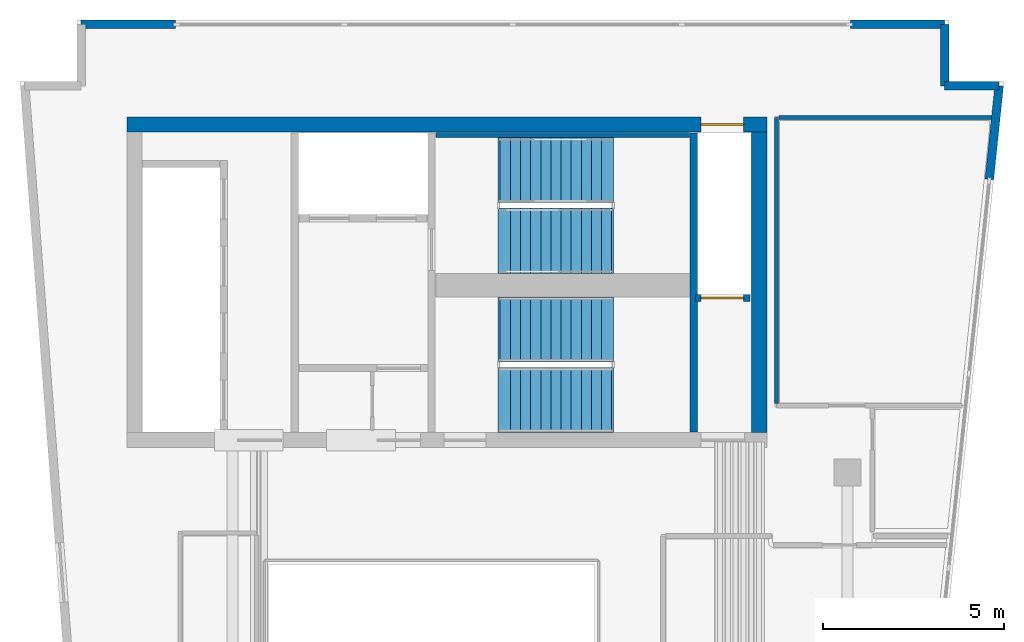
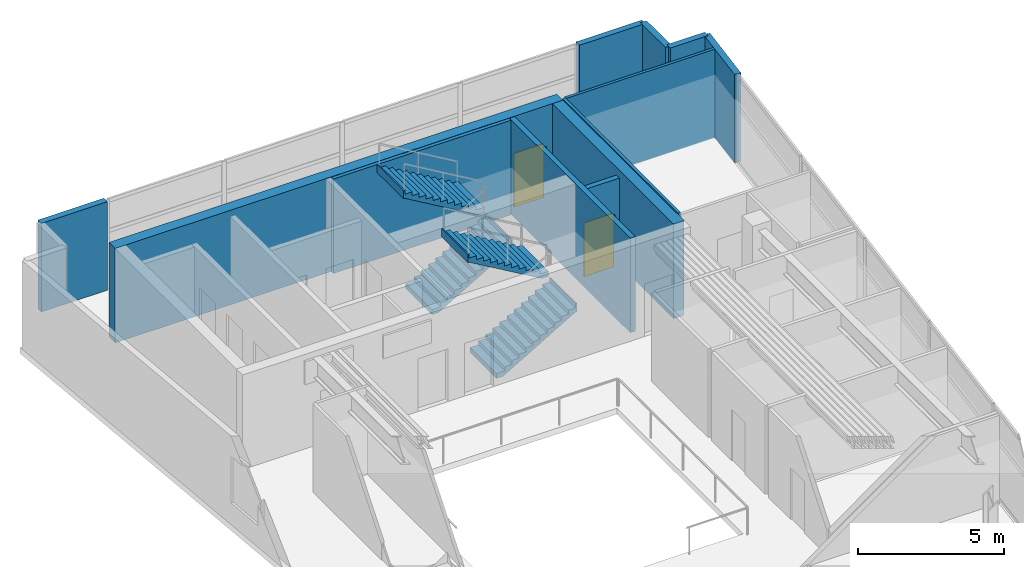
# One storey, part 4 of 6: 12 walls, 4 stair flights, 2 doors, 2 openings, 2 elements without a shape of their own.
"""IFC4 building model written with IfcOpenShell, lengths in metres."""

from ifc_helpers import new_model, si_unit, direction, frame, frame_2d, origin, place, context, subcontext, project, spatial, polyline, rectangle, outline, extrude, material, layer, layer_set, type_object, element, fill, aggregate, save


model = new_model("IFC4")

# Units and contexts
model_context = context("Model", 3, precision=1e-05, world=origin(), true_north=direction((0.0, 1.0)))
body_context = subcontext(model_context, "Body", "Model", "MODEL_VIEW")
ifc_project = project(units=[si_unit("LENGTHUNIT", "METRE"), si_unit("AREAUNIT", "SQUARE_METRE"), si_unit("VOLUMEUNIT", "CUBIC_METRE"), si_unit("PLANEANGLEUNIT", "RADIAN"), si_unit("MASSUNIT", "GRAM", prefix="KILO")], contexts=[model_context])

# Site, building, storey
site_placement = place(None, origin())
site = spatial("IfcSite", under=ifc_project, at=site_placement, CompositionType="ELEMENT")
building_placement = place(site_placement, origin())
building = spatial("IfcBuilding", under=site, at=building_placement, Name="Caeloran Harvest Quay", CompositionType="ELEMENT")
storey_placement = place(building_placement, frame((0.0, 0.0, 288.300048828125)))
storey = spatial("IfcBuildingStorey", under=building, at=storey_placement, Name="L69", CompositionType="ELEMENT", Elevation=288.300048828125)

# Walls
ifc_material_1 = material(Name="Precast concrete C50/60", Category="concrete")
ifc_layer_1 = layer(ifc_material_1, 0.239990234375, Name="Precast concrete C50/60")
ifc_layer_set_1 = layer_set([ifc_layer_1], Name="Precast concrete C50/60")
wall_type_1 = type_object("IfcWallType", Name="ENV-WALL-EW-240", PredefinedType="STANDARD", material=ifc_layer_set_1)
for number, where, z_axis, x_axis, name in (
    (1, (4.320068359375, 43.3798828125, 0.0), (0.0, 0.0, 1.0), (1.0, 0.0, 0.0), "L69 Exterior Facade Corner Pier Wall 6A"),
    (2, (25.580078125, 43.3798828125, 0.0), (0.0, 0.0, 1.0), (1.0, 0.0, 0.0), "L69 Exterior Facade Corner Pier Wall 6B"),
):
    element("IfcWall", number, at=place(storey_placement, frame(where, z_axis=z_axis, x_axis=x_axis)), inside=storey, type_object=wall_type_1, Name=name, PredefinedType="STANDARD", context=body_context, shape_type="SweptSolid", body=[
        extrude(rectangle(XDim=2.599853515625, YDim=0.239990234375, at=frame_2d((1.2998046875, 0.0))), origin(), (0.0, 0.0, 1.0), 3.699951171875),
    ])
wall_1_placement = place(storey_placement, frame((28.179931640625, 43.3798828125, 0.0), z_axis=(0.0, 0.0, 1.0), x_axis=(0.0, -1.0, 0.0)))
element("IfcWall", 3, at=wall_1_placement, inside=storey, type_object=wall_type_1, Name="L69 Exterior Precast Concrete Facade Wall 7", PredefinedType="STANDARD", context=body_context, shape_type="SweptSolid", body=[
    extrude(rectangle(XDim=1.699951171875, YDim=0.239990234375, at=frame_2d((0.85009765625, 0.0))), origin(), (0.0, 0.0, 1.0), 3.699951171875),
])
wall_2_placement = place(storey_placement, frame((28.179931640625, 41.679931640625, 0.0), z_axis=(0.0, 0.0, 1.0), x_axis=(1.0, 0.0, 0.0)))
element("IfcWall", 4, at=wall_2_placement, inside=storey, type_object=wall_type_1, Name="L69 Exterior Precast Concrete Facade Wall 8", PredefinedType="STANDARD", context=body_context, shape_type="SweptSolid", body=[
    extrude(rectangle(XDim=1.508056640625, YDim=0.239990234375, at=frame_2d((0.75390625, 0.0))), origin(), (0.0, 0.0, 1.0), 3.699951171875),
])
wall_3_placement = place(storey_placement, frame((29.68798828125, 41.679931640625, 0.0), z_axis=(0.0, 0.0, 1.0), x_axis=(-0.104420821624, -0.994533203071, 0.0)))
element("IfcWall", 5, at=wall_3_placement, inside=storey, type_object=wall_type_1, Name="L69 Exterior Facade Corner Pier Wall 9A", PredefinedType="STANDARD", context=body_context, shape_type="SweptSolid", body=[
    extrude(rectangle(XDim=2.599853515625, YDim=0.239990234375, at=frame_2d((1.2998046875, 0.0))), origin(), (0.0, 0.0, 1.0), 3.699951171875),
])
ifc_material_2 = material(Name="Single-Stud Acoustic Gypsum Office Partition", Category="gypsum")
ifc_layer_2 = layer(ifc_material_2, 0.112060546875, Name="Single-Stud Acoustic Gypsum Office Partition")
ifc_layer_set_2 = layer_set([ifc_layer_2], Name="Single-Stud Acoustic Gypsum Office Partition")
wall_type_2 = type_object("IfcWallType", Name="INT-WALL-PW-112", PredefinedType="PARTITIONING", material=ifc_layer_set_2)
wall_4_placement = place(storey_placement, frame((23.5400390625, 32.90087890625, 0.0), z_axis=(0.0, 0.0, 1.0), x_axis=(0.0, 1.0, 0.0)))
element("IfcWall", 6, at=wall_4_placement, inside=storey, type_object=wall_type_2, Name="L69 Bioinformatics and Crop Phenotyping Laboratory Partition Wall", PredefinedType="PARTITIONING", context=body_context, shape_type="SweptSolid", body=[
    extrude(rectangle(XDim=7.899169921875, YDim=0.112060546875, at=frame_2d((3.94970703125, 0.0))), origin(), (0.0, 0.0, 1.0), 3.699951171875),
])
wall_5_placement = place(storey_placement, frame((23.60107421875, 40.800048828125, 0.0), z_axis=(0.0, 0.0, 1.0), x_axis=(1.0, 0.0, 0.0)))
element("IfcWall", 7, at=wall_5_placement, inside=storey, type_object=wall_type_2, Name="L69 Bioinformatics and Crop Phenotyping Laboratory Partition Wall", PredefinedType="PARTITIONING", context=body_context, shape_type="SweptSolid", body=[
    extrude(rectangle(XDim=5.868896484375, YDim=0.112060546875, at=frame_2d((2.9345703125, 0.0))), origin(), (0.0, 0.0, 1.0), 3.699951171875),
])

# Wall, opening, door
ifc_material_3 = material(Name="Concrete C50/60", Category="concrete")
ifc_layer_3 = layer(ifc_material_3, 0.199951171875, Name="Concrete C50/60")
ifc_layer_set_3 = layer_set([ifc_layer_3], Name="Concrete C50/60")
wall_type_3 = type_object("IfcWallType", Name="INT-WALL-SW-200", PredefinedType="PARTITIONING", material=ifc_layer_set_3)
wall_6_placement = place(storey_placement, frame((21.300048828125, 35.820068359375, 0.0), z_axis=(0.0, 0.0, 1.0), x_axis=(1.0, 0.0, 0.0)))
wall_6 = element("IfcWall", 8, at=wall_6_placement, inside=storey, type_object=wall_type_3, Name="L69 Service Lift SV-2 Shaft Wall", PredefinedType="PARTITIONING", context=body_context, shape_type="SweptSolid", body=[
    extrude(rectangle(XDim=1.5, YDim=0.199951171875, at=frame_2d((0.75, 0.0))), origin(), (0.0, 0.0, 1.0), 3.699951171875),
])
opening_1_placement = place(wall_6_placement, frame((0.14501953125, 0.0, 0.0)))
opening_1 = element("IfcOpeningElement", 9, at=opening_1_placement, cuts=wall_6, Name="Opening LD-02", PredefinedType="OPENING", context=body_context, shape_type="SweptSolid", body=[
    extrude(rectangle(XDim=1.179931640625, YDim=2.25, at=frame_2d((0.58984375, 1.125))), frame((0.0, 0.10986328125, 0.0), z_axis=(0.0, -1.0, 0.0), x_axis=(1.0, 0.0, 0.0)), (0.0, 0.0, 1.0), 0.219970703125),
])
ifc_material_4 = material(Name="Stainless Steel Grade 316", Category="steel")
door_type = type_object("IfcDoorType", Name="INTDOOR-LD-02", OperationType="NOTDEFINED", PredefinedType="DOOR", material=ifc_material_4)
door_1_placement = place(opening_1_placement, origin())
door_1 = element("IfcDoor", 10, at=door_1_placement, inside=storey, type_object=door_type, Name="Lift SV-2 Sliding Landing Door (L69)", OperationType="DOUBLE_DOOR_SLIDING", OverallHeight=2.25, OverallWidth=1.179931640625, PredefinedType="DOOR", context=body_context, shape_type="SweptSolid", body=[
    extrude(rectangle(XDim=1.179931640625, YDim=2.25, at=frame_2d((0.58984375, 1.125))), frame((0.0, 0.02490234375, 0.0), z_axis=(0.0, -1.0, 0.0), x_axis=(1.0, 0.0, 0.0)), (0.0, 0.0, 1.0), 0.050048828125),
])
fill(opening_1, door_1)

ifc_material_5 = material(Name="Concrete C60/75", Category="concrete")
ifc_layer_4 = layer(ifc_material_5, 0.419921875, Name="Concrete C60/75")
ifc_layer_set_4 = layer_set([ifc_layer_4], Name="Concrete C60/75")
wall_type_4 = type_object("IfcWallType", Name="STR-WALL-CW-420", PredefinedType="SHEAR", material=ifc_layer_set_4)
wall_7_placement = place(storey_placement, frame((5.580078125, 40.610107421875, 0.0), z_axis=(0.0, 0.0, 1.0), x_axis=(1.0, 0.0, 0.0)))
wall_7 = element("IfcWall", 11, at=wall_7_placement, inside=storey, type_object=wall_type_4, Name="L69 Rear Core Shear Wall N", PredefinedType="SHEAR", context=body_context, shape_type="SweptSolid", body=[
    extrude(rectangle(XDim=17.68994140625, YDim=0.419921875, at=frame_2d((8.844970703125, 0.0))), origin(), (0.0, 0.0, 1.0), 3.949951171875),
])
opening_2_placement = place(wall_7_placement, frame((15.864990234375, 0.0, 0.0)))
opening_2 = element("IfcOpeningElement", 12, at=opening_2_placement, cuts=wall_7, Name="Opening LD-02", PredefinedType="OPENING", context=body_context, shape_type="SweptSolid", body=[
    extrude(rectangle(XDim=1.179931640625, YDim=2.25, at=frame_2d((0.58984375, 1.125))), frame((0.0, 0.219970703125, 0.0), z_axis=(0.0, -1.0, 0.0), x_axis=(1.0, 0.0, 0.0)), (0.0, 0.0, 1.0), 0.43994140625),
])
door_2_placement = place(opening_2_placement, origin())
door_2 = element("IfcDoor", 13, at=door_2_placement, inside=storey, type_object=door_type, Name="Lift SV-1 Sliding Landing Door (L69)", OperationType="DOUBLE_DOOR_SLIDING", OverallHeight=2.25, OverallWidth=1.179931640625, PredefinedType="DOOR", context=body_context, shape_type="SweptSolid", body=[
    extrude(rectangle(XDim=1.179931640625, YDim=2.25, at=frame_2d((0.58984375, 1.125))), frame((0.0, 0.02490234375, 0.0), z_axis=(0.0, -1.0, 0.0), x_axis=(1.0, 0.0, 0.0)), (0.0, 0.0, 1.0), 0.050048828125),
])
fill(opening_2, door_2)

# Walls
wall_8_placement = place(storey_placement, frame((23.06005859375, 32.10009765625, 0.0), z_axis=(0.0, 0.0, 1.0), x_axis=(0.0, 1.0, 0.0)))
element("IfcWall", 14, at=wall_8_placement, inside=storey, type_object=wall_type_4, Name="L69 Rear Core Shear Wall E", PredefinedType="SHEAR", context=body_context, shape_type="SweptSolid", body=[
    extrude(rectangle(XDim=8.2998046875, YDim=0.419921875, at=frame_2d((4.14990234375, 0.0))), origin(), (0.0, 0.0, 1.0), 3.949951171875),
])
ifc_layer_5 = layer(ifc_material_5, 0.139892578125, Name="Concrete C60/75")
ifc_layer_set_5 = layer_set([ifc_layer_5], Name="Concrete C60/75")
wall_type_5 = type_object("IfcWallType", Name="STR-WALL-SW-140", PredefinedType="SHEAR", material=ifc_layer_set_5)
wall_9_placement = place(storey_placement, frame((14.1201171875, 40.320068359375, 0.0), z_axis=(0.0, 0.0, 1.0), x_axis=(1.0, 0.0, 0.0)))
element("IfcWall", 15, at=wall_9_placement, inside=storey, type_object=wall_type_5, Name="L69 Core Stair ST-C1 North Bearing Shear Wall", PredefinedType="SHEAR", context=body_context, shape_type="SweptSolid", body=[
    extrude(rectangle(XDim=7.009765625, YDim=0.139892578125, at=frame_2d((3.5048828125, 0.0))), origin(), (0.0, 0.0, 1.0), 3.949951171875),
])
ifc_layer_6 = layer(ifc_material_5, 0.199951171875, Name="Concrete C60/75")
ifc_layer_set_6 = layer_set([ifc_layer_6], Name="Concrete C60/75")
wall_type_6 = type_object("IfcWallType", Name="STR-WALL-SW-200", PredefinedType="SHEAR", material=ifc_layer_set_6)
wall_10_placement = place(storey_placement, frame((21.25, 32.1201171875, 0.0), z_axis=(0.0, 0.0, 1.0), x_axis=(0.0, 1.0, 0.0)))
element("IfcWall", 16, at=wall_10_placement, inside=storey, type_object=wall_type_6, Name="L69 Core Stair Shaft East Shear Wall", PredefinedType="SHEAR", context=body_context, shape_type="SweptSolid", body=[
    extrude(rectangle(XDim=8.259765625, YDim=0.199951171875, at=frame_2d((4.1298828125, 0.0))), origin(), (0.0, 0.0, 1.0), 3.949951171875),
])

# Stair, stair flights
stair_type = type_object("IfcStairType", Name="STAIR-STC-180", PredefinedType="HALF_TURN_STAIR", material=ifc_material_3)
stair_1_placement = place(storey_placement, origin())
stair_1 = element("IfcStair", 17, at=stair_1_placement, inside=storey, type_object=stair_type, Name="L69 Core Pressurized Exit Stair ST-C1", PredefinedType="HALF_TURN_STAIR")
stair_flight_type = type_object("IfcStairFlightType", Name="FLIGHT-STC-180", PredefinedType="STRAIGHT", material=ifc_material_3)
stair_flight_1_placement = place(storey_placement, frame((15.89990234375, 37.39990234375, 0.0), z_axis=(0.0, 0.0, 1.0), x_axis=(1.0, 0.0, 0.0)))
stair_flight_1 = element("IfcStairFlight", 18, at=stair_flight_1_placement, type_object=stair_flight_type, Name="ST-C1 flight 1", NumberOfRisers=12, NumberOfTreads=11, PredefinedType="STRAIGHT", RiserHeight=0.164583333, TreadLength=0.28, context=body_context, shape_type="SweptSolid", body=[
    extrude(outline(polyline([(-0.054931640625, -0.044921875), (-0.054931640625, -0.031982421875), (-0.054931640625, -0.018798828125), (-0.054931640625, -0.005615234375), (-0.054931640625, 0.00732421875), (-0.054931640625, 0.0205078125), (-0.054931640625, 0.03369140625), (-0.054931640625, 0.046630859375), (-0.054931640625, 0.059814453125), (-0.054931640625, 0.072998046875), (-0.054931640625, 0.0859375), (-0.054931640625, 0.09912109375), (-0.054931640625, 0.1123046875), (-0.054931640625, 0.125244140625), (-0.054931640625, 0.138427734375), (-0.054931640625, 0.1513671875), (-0.054931640625, 0.16455078125), (0.280029296875, 0.16455078125), (0.280029296875, 0.3291015625), (0.56005859375, 0.3291015625), (0.56005859375, 0.49365234375), (0.840087890625, 0.49365234375), (0.840087890625, 0.658447265625), (1.1201171875, 0.658447265625), (1.1201171875, 0.822998046875), (1.39990234375, 0.822998046875), (1.39990234375, 0.987548828125), (1.679931640625, 0.987548828125), (1.679931640625, 1.152099609375), (1.9599609375, 1.152099609375), (1.9599609375, 1.316650390625), (2.239990234375, 1.316650390625), (2.239990234375, 1.481201171875), (2.52001953125, 1.481201171875), (2.52001953125, 1.645751953125), (2.800048828125, 1.645751953125), (2.800048828125, 1.810302734375), (3.080078125, 1.810302734375), (3.080078125, 1.97509765625), (3.135009765625, 1.97509765625), (3.135009765625, 1.953857421875), (3.135009765625, 1.9326171875), (3.135009765625, 1.91162109375), (3.135009765625, 1.890380859375), (3.135009765625, 1.869140625), (3.135009765625, 1.84814453125), (3.135009765625, 1.826904296875), (3.135009765625, 1.8056640625), (3.135009765625, 1.78466796875), (3.135009765625, 1.763427734375), (3.135009765625, 1.7421875), (3.135009765625, 1.72119140625), (3.135009765625, 1.699951171875), (3.135009765625, 1.678955078125), (3.135009765625, 1.65771484375), (3.135009765625, 1.636474609375), (3.080078125, 1.636474609375), (0.21923828125, -0.044921875), (-0.054931640625, -0.044921875)])), frame((0.0, 0.89990234375, 0.0), z_axis=(0.0, -1.0, 0.0), x_axis=(1.0, 0.0, 0.0)), (0.0, 0.0, 1.0), 1.800048828125),
])
stair_flight_2_placement = place(storey_placement, frame((18.97998046875, 39.35009765625, 1.974853515625), z_axis=(0.0, 0.0, 1.0), x_axis=(-1.0, 0.0, 0.0)))
stair_flight_2 = element("IfcStairFlight", 19, at=stair_flight_2_placement, type_object=stair_flight_type, Name="ST-C1 flight 2", NumberOfRisers=12, NumberOfTreads=11, PredefinedType="STRAIGHT", RiserHeight=0.164583333, TreadLength=0.28, context=body_context, shape_type="SweptSolid", body=[
    extrude(outline(polyline([(-0.054931640625, -0.044921875), (-0.054931640625, -0.031982421875), (-0.054931640625, -0.018798828125), (-0.054931640625, -0.005615234375), (-0.054931640625, 0.00732421875), (-0.054931640625, 0.0205078125), (-0.054931640625, 0.03369140625), (-0.054931640625, 0.046630859375), (-0.054931640625, 0.059814453125), (-0.054931640625, 0.072998046875), (-0.054931640625, 0.0859375), (-0.054931640625, 0.09912109375), (-0.054931640625, 0.1123046875), (-0.054931640625, 0.125244140625), (-0.054931640625, 0.138427734375), (-0.054931640625, 0.1513671875), (-0.054931640625, 0.16455078125), (0.280029296875, 0.16455078125), (0.280029296875, 0.3291015625), (0.56005859375, 0.3291015625), (0.56005859375, 0.49365234375), (0.840087890625, 0.49365234375), (0.840087890625, 0.658447265625), (1.1201171875, 0.658447265625), (1.1201171875, 0.822998046875), (1.39990234375, 0.822998046875), (1.39990234375, 0.987548828125), (1.679931640625, 0.987548828125), (1.679931640625, 1.152099609375), (1.9599609375, 1.152099609375), (1.9599609375, 1.316650390625), (2.239990234375, 1.316650390625), (2.239990234375, 1.481201171875), (2.52001953125, 1.481201171875), (2.52001953125, 1.645751953125), (2.800048828125, 1.645751953125), (2.800048828125, 1.810302734375), (3.080078125, 1.810302734375), (3.080078125, 1.97509765625), (3.135009765625, 1.97509765625), (3.135009765625, 1.953857421875), (3.135009765625, 1.9326171875), (3.135009765625, 1.91162109375), (3.135009765625, 1.890380859375), (3.135009765625, 1.869140625), (3.135009765625, 1.84814453125), (3.135009765625, 1.826904296875), (3.135009765625, 1.8056640625), (3.135009765625, 1.78466796875), (3.135009765625, 1.763427734375), (3.135009765625, 1.7421875), (3.135009765625, 1.72119140625), (3.135009765625, 1.699951171875), (3.135009765625, 1.678955078125), (3.135009765625, 1.65771484375), (3.135009765625, 1.636474609375), (3.080078125, 1.636474609375), (0.21923828125, -0.044921875), (-0.054931640625, -0.044921875)])), frame((0.0, 0.89990234375, 0.0), z_axis=(0.0, -1.0, 0.0), x_axis=(1.0, 0.0, 0.0)), (0.0, 0.0, 1.0), 1.800048828125),
])
aggregate(stair_1, [stair_flight_1, stair_flight_2])

stair_2_placement = place(storey_placement, origin())
stair_2 = element("IfcStair", 20, at=stair_2_placement, inside=storey, type_object=stair_type, Name="L69 Core Pressurized Exit Stair ST-C2", PredefinedType="HALF_TURN_STAIR")
stair_flight_3_placement = place(storey_placement, frame((15.89990234375, 33.0, 0.0), z_axis=(0.0, 0.0, 1.0), x_axis=(1.0, 0.0, 0.0)))
stair_flight_3 = element("IfcStairFlight", 21, at=stair_flight_3_placement, type_object=stair_flight_type, Name="ST-C2 flight 1", NumberOfRisers=12, NumberOfTreads=11, PredefinedType="STRAIGHT", RiserHeight=0.164583333, TreadLength=0.28, context=body_context, shape_type="SweptSolid", body=[
    extrude(outline(polyline([(-0.054931640625, -0.044921875), (-0.054931640625, -0.031982421875), (-0.054931640625, -0.018798828125), (-0.054931640625, -0.005615234375), (-0.054931640625, 0.00732421875), (-0.054931640625, 0.0205078125), (-0.054931640625, 0.03369140625), (-0.054931640625, 0.046630859375), (-0.054931640625, 0.059814453125), (-0.054931640625, 0.072998046875), (-0.054931640625, 0.0859375), (-0.054931640625, 0.09912109375), (-0.054931640625, 0.1123046875), (-0.054931640625, 0.125244140625), (-0.054931640625, 0.138427734375), (-0.054931640625, 0.1513671875), (-0.054931640625, 0.16455078125), (0.280029296875, 0.16455078125), (0.280029296875, 0.3291015625), (0.56005859375, 0.3291015625), (0.56005859375, 0.49365234375), (0.840087890625, 0.49365234375), (0.840087890625, 0.658447265625), (1.1201171875, 0.658447265625), (1.1201171875, 0.822998046875), (1.39990234375, 0.822998046875), (1.39990234375, 0.987548828125), (1.679931640625, 0.987548828125), (1.679931640625, 1.152099609375), (1.9599609375, 1.152099609375), (1.9599609375, 1.316650390625), (2.239990234375, 1.316650390625), (2.239990234375, 1.481201171875), (2.52001953125, 1.481201171875), (2.52001953125, 1.645751953125), (2.800048828125, 1.645751953125), (2.800048828125, 1.810302734375), (3.080078125, 1.810302734375), (3.080078125, 1.97509765625), (3.135009765625, 1.97509765625), (3.135009765625, 1.953857421875), (3.135009765625, 1.9326171875), (3.135009765625, 1.91162109375), (3.135009765625, 1.890380859375), (3.135009765625, 1.869140625), (3.135009765625, 1.84814453125), (3.135009765625, 1.826904296875), (3.135009765625, 1.8056640625), (3.135009765625, 1.78466796875), (3.135009765625, 1.763427734375), (3.135009765625, 1.7421875), (3.135009765625, 1.72119140625), (3.135009765625, 1.699951171875), (3.135009765625, 1.678955078125), (3.135009765625, 1.65771484375), (3.135009765625, 1.636474609375), (3.080078125, 1.636474609375), (0.21923828125, -0.044921875), (-0.054931640625, -0.044921875)])), frame((0.0, 0.89990234375, 0.0), z_axis=(0.0, -1.0, 0.0), x_axis=(1.0, 0.0, 0.0)), (0.0, 0.0, 1.0), 1.800048828125),
])
stair_flight_4_placement = place(storey_placement, frame((18.97998046875, 34.949951171875, 1.974853515625), z_axis=(0.0, 0.0, 1.0), x_axis=(-1.0, 0.0, 0.0)))
stair_flight_4 = element("IfcStairFlight", 22, at=stair_flight_4_placement, type_object=stair_flight_type, Name="ST-C2 flight 2", NumberOfRisers=12, NumberOfTreads=11, PredefinedType="STRAIGHT", RiserHeight=0.164583333, TreadLength=0.28, context=body_context, shape_type="SweptSolid", body=[
    extrude(outline(polyline([(-0.054931640625, -0.044921875), (-0.054931640625, -0.031982421875), (-0.054931640625, -0.018798828125), (-0.054931640625, -0.005615234375), (-0.054931640625, 0.00732421875), (-0.054931640625, 0.0205078125), (-0.054931640625, 0.03369140625), (-0.054931640625, 0.046630859375), (-0.054931640625, 0.059814453125), (-0.054931640625, 0.072998046875), (-0.054931640625, 0.0859375), (-0.054931640625, 0.09912109375), (-0.054931640625, 0.1123046875), (-0.054931640625, 0.125244140625), (-0.054931640625, 0.138427734375), (-0.054931640625, 0.1513671875), (-0.054931640625, 0.16455078125), (0.280029296875, 0.16455078125), (0.280029296875, 0.3291015625), (0.56005859375, 0.3291015625), (0.56005859375, 0.49365234375), (0.840087890625, 0.49365234375), (0.840087890625, 0.658447265625), (1.1201171875, 0.658447265625), (1.1201171875, 0.822998046875), (1.39990234375, 0.822998046875), (1.39990234375, 0.987548828125), (1.679931640625, 0.987548828125), (1.679931640625, 1.152099609375), (1.9599609375, 1.152099609375), (1.9599609375, 1.316650390625), (2.239990234375, 1.316650390625), (2.239990234375, 1.481201171875), (2.52001953125, 1.481201171875), (2.52001953125, 1.645751953125), (2.800048828125, 1.645751953125), (2.800048828125, 1.810302734375), (3.080078125, 1.810302734375), (3.080078125, 1.97509765625), (3.135009765625, 1.97509765625), (3.135009765625, 1.953857421875), (3.135009765625, 1.9326171875), (3.135009765625, 1.91162109375), (3.135009765625, 1.890380859375), (3.135009765625, 1.869140625), (3.135009765625, 1.84814453125), (3.135009765625, 1.826904296875), (3.135009765625, 1.8056640625), (3.135009765625, 1.78466796875), (3.135009765625, 1.763427734375), (3.135009765625, 1.7421875), (3.135009765625, 1.72119140625), (3.135009765625, 1.699951171875), (3.135009765625, 1.678955078125), (3.135009765625, 1.65771484375), (3.135009765625, 1.636474609375), (3.080078125, 1.636474609375), (0.21923828125, -0.044921875), (-0.054931640625, -0.044921875)])), frame((0.0, 0.89990234375, 0.0), z_axis=(0.0, -1.0, 0.0), x_axis=(1.0, 0.0, 0.0)), (0.0, 0.0, 1.0), 1.800048828125),
])
aggregate(stair_2, [stair_flight_3, stair_flight_4])

save(model, "model.ifc")
